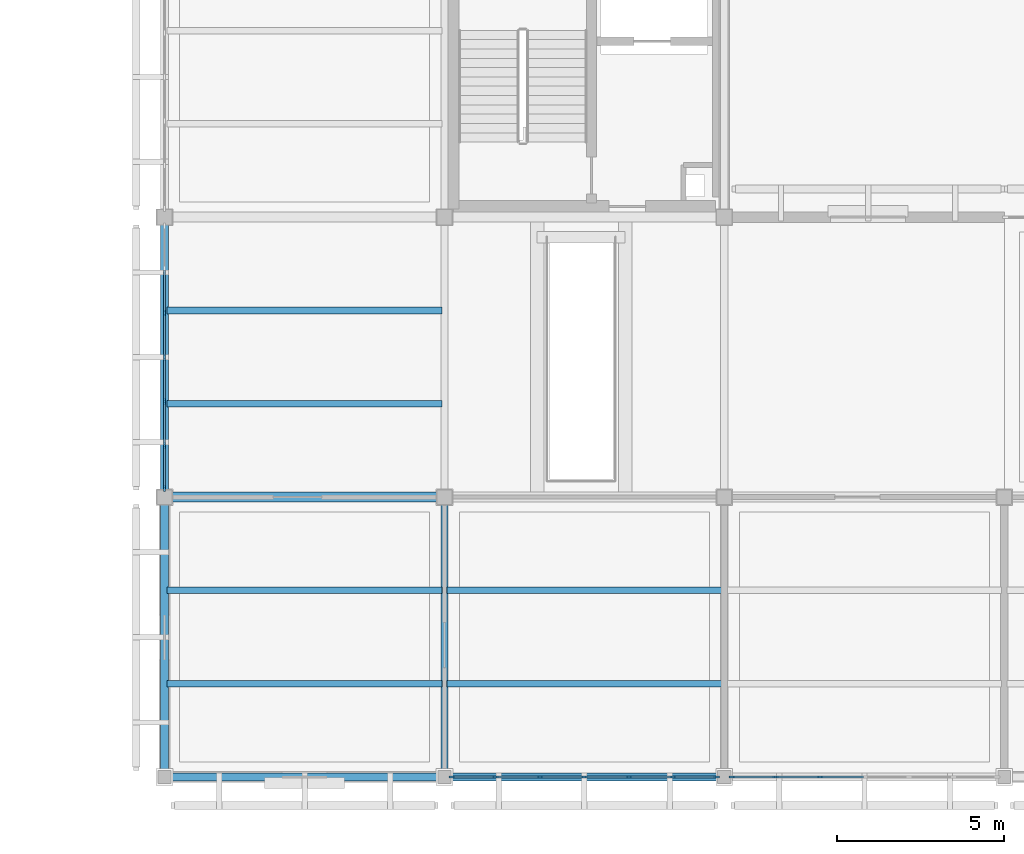
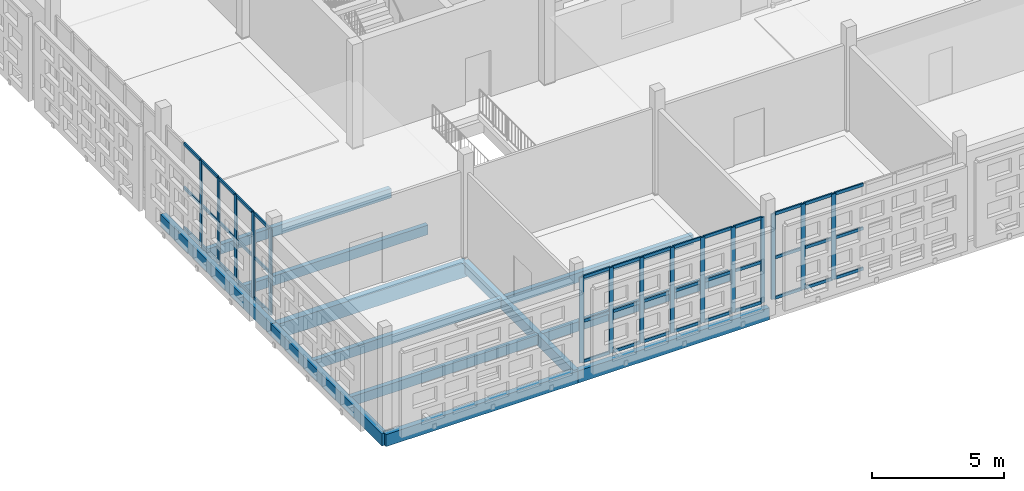
# One storey, part 16 of 203: 57 members, 12 beams, 3 elements without a shape of their own.
"""IFC4 building model written with IfcOpenShell, lengths in metres."""

from ifc_helpers import new_model, si_unit, direction, frame, origin, origin_2d, place, context, subcontext, project, spatial, rectangle, extrude, material, layer, layer_set, material_profile, profile_set, type_object, element, aggregate, save


model = new_model("IFC4")

# Units and contexts
model_context = context("Model", 3, precision=1e-05, world=origin(), true_north=direction((0.0, 1.0)))
body_context = subcontext(model_context, "Body", "Model", "MODEL_VIEW")
ifc_project = project(units=[si_unit("LENGTHUNIT", "METRE"), si_unit("AREAUNIT", "SQUARE_METRE"), si_unit("VOLUMEUNIT", "CUBIC_METRE"), si_unit("PLANEANGLEUNIT", "RADIAN"), si_unit("MASSUNIT", "GRAM", prefix="KILO")], contexts=[model_context])

# Site, building, storey
site_placement = place(None, origin())
site = spatial("IfcSite", under=ifc_project, at=site_placement, CompositionType="ELEMENT")
building_placement = place(site_placement, origin())
building = spatial("IfcBuilding", under=site, at=building_placement, Name="Varnapada Polytechnic", CompositionType="ELEMENT")
storey_placement = place(building_placement, frame((0.0, 0.0, 4.800048828125)))
storey = spatial("IfcBuildingStorey", under=building, at=storey_placement, Name="L01", CompositionType="ELEMENT", Elevation=4.800048828125)

# Beams
ifc_material_1 = material(Name="Glulam GL32h", Category="wood")
ifc_material_profile_1 = material_profile(ifc_material_1, rectangle(XDim=0.199951171875, YDim=0.43994140625, at=origin_2d()), Name="GL 200x440")
ifc_profile_set_1 = profile_set([ifc_material_profile_1], Name="Glulam GL32h")
beam_type_1 = type_object("IfcBeamType", Name="Heavy laboratory glulam joist GJ-03 (GL 200x440)", PredefinedType="JOIST", material=ifc_profile_set_1)
for number, where, z_axis, x_axis, name in (
    (1, (8.47998046875, 2.800048828125, -0.47998046875), (1.0, 0.0, 0.0), (0.0, 1.0, 0.0), "L01 floor joist 2/1.1"),
    (2, (8.47998046875, 5.60009765625, -0.47998046875), (1.0, 0.0, 0.0), (0.0, 1.0, 0.0), "L01 floor joist 2/1.2"),
    (3, (8.47998046875, 11.199951171875, -0.47998046875), (1.0, 0.0, 0.0), (0.0, 1.0, 0.0), "L01 floor joist 2/2.1"),
    (4, (8.47998046875, 14.0, -0.47998046875), (1.0, 0.0, 0.0), (0.0, 1.0, 0.0), "L01 floor joist 2/2.2"),
):
    element("IfcBeam", number, at=place(storey_placement, frame(where, z_axis=z_axis, x_axis=x_axis)), inside=storey, type_object=beam_type_1, Name=name, PredefinedType="JOIST", context=body_context, shape_type="SweptSolid", body=[
        extrude(rectangle(XDim=0.199951171875, YDim=0.43994140625, at=origin_2d()), origin(), (0.0, 0.0, 1.0), 8.239990234375),
    ])
for number, where, z_axis, x_axis, name in (
    (5, (16.8798828125, 2.800048828125, -0.47998046875), (1.0, 0.0, 0.0), (0.0, 1.0, 0.0), "L01 floor joist 3/1.1"),
    (6, (16.8798828125, 5.60009765625, -0.47998046875), (1.0, 0.0, 0.0), (0.0, 1.0, 0.0), "L01 floor joist 3/1.2"),
):
    element("IfcBeam", number, at=place(storey_placement, frame(where, z_axis=z_axis, x_axis=x_axis)), inside=storey, type_object=beam_type_1, Name=name, PredefinedType="JOIST", context=body_context, shape_type="SweptSolid", body=[
        extrude(rectangle(XDim=0.199951171875, YDim=0.43994140625, at=origin_2d()), origin(), (0.0, 0.0, 1.0), 8.240234375),
    ])
ifc_material_profile_2 = material_profile(ifc_material_1, rectangle(XDim=0.219970703125, YDim=0.52001953125, at=origin_2d()), Name="GL 220x520")
ifc_profile_set_2 = profile_set([ifc_material_profile_2], Name="Glulam GL32h")
beam_type_2 = type_object("IfcBeamType", Name="Laboratory transverse glulam beam GB-12 (GL 220x520)", PredefinedType="BEAM", material=ifc_profile_set_2)
beam_1_placement = place(storey_placement, frame((16.800048828125, 0.0, -0.52001953125), z_axis=(0.0, 1.0, 0.0), x_axis=(-1.0, 0.0, 0.0)))
element("IfcBeam", 7, at=beam_1_placement, inside=storey, type_object=beam_type_2, Name="L01 beam Y 1-2 at X3", PredefinedType="BEAM", context=body_context, shape_type="SweptSolid", body=[
    extrude(rectangle(XDim=0.219970703125, YDim=0.52001953125, at=origin_2d()), origin(), (0.0, 0.0, 1.0), 8.39990234375),
])

# Curtain wall, members
ifc_material_2 = material(Name="Double low-E laminated glass", Category="glass")
ifc_layer = layer(ifc_material_2, 0.179931640625)
ifc_layer_set = layer_set([ifc_layer], Name="Double low-E laminated glass")
curtain_wall_type = type_object("IfcCurtainWallType", Name="Curtain Wall CW-03", PredefinedType="NOTDEFINED", material=ifc_layer_set)
curtain_wall_1_placement = place(storey_placement, origin())
curtain_wall_1 = element("IfcCurtainWall", 8, at=curtain_wall_1_placement, inside=storey, type_object=curtain_wall_type, Name="L01 unitised curtain wall CW-03 (27)", PredefinedType="NOTDEFINED")
ifc_material_3 = material(Name="Anodised aluminium", Category="aluminium")
ifc_material_profile_3 = material_profile(ifc_material_3, rectangle(XDim=0.06494140625, YDim=0.179931640625, at=origin_2d()), Name="ALU M65x180")
ifc_profile_set_3 = profile_set([ifc_material_profile_3], Name="Anodised aluminium")
member_type_1 = type_object("IfcMemberType", Name="Mullion M-02", PredefinedType="MULLION", material=ifc_profile_set_3)
member_1_placement = place(storey_placement, frame((8.39990234375, 8.652587890625, 0.0), z_axis=(0.0, 0.0, 1.0), x_axis=(-1.0, 0.0, 0.0)))
member_1 = element("IfcMember", 9, at=member_1_placement, type_object=member_type_1, Name="CW-03 mullion 1", PredefinedType="MULLION", context=body_context, shape_type="SweptSolid", body=[
    extrude(rectangle(XDim=0.06494140625, YDim=0.179931640625, at=origin_2d()), origin(), (0.0, 0.0, 1.0), 3.9599609375),
])
member_2_placement = place(storey_placement, frame((8.39990234375, 9.945068359375, 0.0), z_axis=(0.0, 0.0, 1.0), x_axis=(-1.0, 0.0, 0.0)))
member_2 = element("IfcMember", 10, at=member_2_placement, type_object=member_type_1, Name="CW-03 mullion 2", PredefinedType="MULLION", context=body_context, shape_type="SweptSolid", body=[
    extrude(rectangle(XDim=0.06494140625, YDim=0.179931640625, at=origin_2d()), origin(), (0.0, 0.0, 1.0), 3.9599609375),
])
member_3_placement = place(storey_placement, frame((8.39990234375, 11.27001953125, 0.0), z_axis=(0.0, 0.0, 1.0), x_axis=(-1.0, 0.0, 0.0)))
member_3 = element("IfcMember", 11, at=member_3_placement, type_object=member_type_1, Name="CW-03 mullion 3", PredefinedType="MULLION", context=body_context, shape_type="SweptSolid", body=[
    extrude(rectangle(XDim=0.06494140625, YDim=0.179931640625, at=origin_2d()), origin(), (0.0, 0.0, 1.0), 3.9599609375),
])
member_4_placement = place(storey_placement, frame((8.39990234375, 12.594970703125, 0.0), z_axis=(0.0, 0.0, 1.0), x_axis=(-1.0, 0.0, 0.0)))
member_4 = element("IfcMember", 12, at=member_4_placement, type_object=member_type_1, Name="CW-03 mullion 4", PredefinedType="MULLION", context=body_context, shape_type="SweptSolid", body=[
    extrude(rectangle(XDim=0.06494140625, YDim=0.179931640625, at=origin_2d()), origin(), (0.0, 0.0, 1.0), 3.9599609375),
])
member_5_placement = place(storey_placement, frame((8.39990234375, 13.919921875, 0.0), z_axis=(0.0, 0.0, 1.0), x_axis=(-1.0, 0.0, 0.0)))
member_5 = element("IfcMember", 13, at=member_5_placement, type_object=member_type_1, Name="CW-03 mullion 5", PredefinedType="MULLION", context=body_context, shape_type="SweptSolid", body=[
    extrude(rectangle(XDim=0.06494140625, YDim=0.179931640625, at=origin_2d()), origin(), (0.0, 0.0, 1.0), 3.9599609375),
])

curtain_wall_2_placement = place(storey_placement, origin())
curtain_wall_2 = element("IfcCurtainWall", 14, at=curtain_wall_2_placement, inside=storey, type_object=curtain_wall_type, Name="L01 unitised curtain wall CW-03 (31)", PredefinedType="NOTDEFINED")
member_6_placement = place(storey_placement, frame((24.967529296875, 0.0, 0.0), z_axis=(0.0, 0.0, 1.0), x_axis=(0.0, -1.0, 0.0)))
member_6 = element("IfcMember", 15, at=member_6_placement, type_object=member_type_1, Name="CW-03 mullion 1", PredefinedType="MULLION", context=body_context, shape_type="SweptSolid", body=[
    extrude(rectangle(XDim=0.06494140625, YDim=0.179931640625, at=origin_2d()), origin(), (0.0, 0.0, 1.0), 3.9599609375),
])
member_7_placement = place(storey_placement, frame((23.6650390625, 0.0, 0.0), z_axis=(0.0, 0.0, 1.0), x_axis=(0.0, -1.0, 0.0)))
member_7 = element("IfcMember", 16, at=member_7_placement, type_object=member_type_1, Name="CW-03 mullion 2", PredefinedType="MULLION", context=body_context, shape_type="SweptSolid", body=[
    extrude(rectangle(XDim=0.06494140625, YDim=0.179931640625, at=origin_2d()), origin(), (0.0, 0.0, 1.0), 3.9599609375),
])
member_8_placement = place(storey_placement, frame((22.330078125, 0.0, 0.0), z_axis=(0.0, 0.0, 1.0), x_axis=(0.0, -1.0, 0.0)))
member_8 = element("IfcMember", 17, at=member_8_placement, type_object=member_type_1, Name="CW-03 mullion 3", PredefinedType="MULLION", context=body_context, shape_type="SweptSolid", body=[
    extrude(rectangle(XDim=0.06494140625, YDim=0.179931640625, at=origin_2d()), origin(), (0.0, 0.0, 1.0), 3.9599609375),
])
member_9_placement = place(storey_placement, frame((20.9951171875, 0.0, 0.0), z_axis=(0.0, 0.0, 1.0), x_axis=(0.0, -1.0, 0.0)))
member_9 = element("IfcMember", 18, at=member_9_placement, type_object=member_type_1, Name="CW-03 mullion 4", PredefinedType="MULLION", context=body_context, shape_type="SweptSolid", body=[
    extrude(rectangle(XDim=0.06494140625, YDim=0.179931640625, at=origin_2d()), origin(), (0.0, 0.0, 1.0), 3.9599609375),
])
member_10_placement = place(storey_placement, frame((19.659912109375, 0.0, 0.0), z_axis=(0.0, 0.0, 1.0), x_axis=(0.0, -1.0, 0.0)))
member_10 = element("IfcMember", 19, at=member_10_placement, type_object=member_type_1, Name="CW-03 mullion 5", PredefinedType="MULLION", context=body_context, shape_type="SweptSolid", body=[
    extrude(rectangle(XDim=0.06494140625, YDim=0.179931640625, at=origin_2d()), origin(), (0.0, 0.0, 1.0), 3.9599609375),
])
member_11_placement = place(storey_placement, frame((18.324951171875, 0.0, 0.0), z_axis=(0.0, 0.0, 1.0), x_axis=(0.0, -1.0, 0.0)))
member_11 = element("IfcMember", 20, at=member_11_placement, type_object=member_type_1, Name="CW-03 mullion 6", PredefinedType="MULLION", context=body_context, shape_type="SweptSolid", body=[
    extrude(rectangle(XDim=0.06494140625, YDim=0.179931640625, at=origin_2d()), origin(), (0.0, 0.0, 1.0), 3.9599609375),
])
member_12_placement = place(storey_placement, frame((17.0224609375, 0.0, 0.0), z_axis=(0.0, 0.0, 1.0), x_axis=(0.0, -1.0, 0.0)))
member_12 = element("IfcMember", 21, at=member_12_placement, type_object=member_type_1, Name="CW-03 mullion 7", PredefinedType="MULLION", context=body_context, shape_type="SweptSolid", body=[
    extrude(rectangle(XDim=0.06494140625, YDim=0.179931640625, at=origin_2d()), origin(), (0.0, 0.0, 1.0), 3.9599609375),
])

curtain_wall_3_placement = place(storey_placement, origin())
curtain_wall_3 = element("IfcCurtainWall", 22, at=curtain_wall_3_placement, inside=storey, type_object=curtain_wall_type, Name="L01 unitised curtain wall CW-03 (33)", PredefinedType="NOTDEFINED")
member_13_placement = place(storey_placement, frame((28.070068359375, 0.0, 0.0), z_axis=(0.0, 0.0, 1.0), x_axis=(0.0, -1.0, 0.0)))
member_13 = element("IfcMember", 23, at=member_13_placement, type_object=member_type_1, Name="CW-03 mullion 5", PredefinedType="MULLION", context=body_context, shape_type="SweptSolid", body=[
    extrude(rectangle(XDim=0.06494140625, YDim=0.179931640625, at=origin_2d()), origin(), (0.0, 0.0, 1.0), 3.9599609375),
])
member_14_placement = place(storey_placement, frame((26.735107421875, 0.0, 0.0), z_axis=(0.0, 0.0, 1.0), x_axis=(0.0, -1.0, 0.0)))
member_14 = element("IfcMember", 24, at=member_14_placement, type_object=member_type_1, Name="CW-03 mullion 6", PredefinedType="MULLION", context=body_context, shape_type="SweptSolid", body=[
    extrude(rectangle(XDim=0.06494140625, YDim=0.179931640625, at=origin_2d()), origin(), (0.0, 0.0, 1.0), 3.9599609375),
])
member_15_placement = place(storey_placement, frame((25.4326171875, 0.0, 0.0), z_axis=(0.0, 0.0, 1.0), x_axis=(0.0, -1.0, 0.0)))
member_15 = element("IfcMember", 25, at=member_15_placement, type_object=member_type_1, Name="CW-03 mullion 7", PredefinedType="MULLION", context=body_context, shape_type="SweptSolid", body=[
    extrude(rectangle(XDim=0.06494140625, YDim=0.179931640625, at=origin_2d()), origin(), (0.0, 0.0, 1.0), 3.9599609375),
])

# Beams
ifc_material_profile_4 = material_profile(ifc_material_1, rectangle(XDim=0.239990234375, YDim=0.56005859375, at=origin_2d()), Name="GL 240x560")
ifc_profile_set_4 = profile_set([ifc_material_profile_4], Name="Glulam GL32h")
beam_type_3 = type_object("IfcBeamType", Name="Perimeter glulam spandrel beam SP-02 (GL 240x560)", PredefinedType="SPANDREL", material=ifc_profile_set_4)
beam_2_placement = place(storey_placement, frame((8.39990234375, 0.0, -0.5400390625), z_axis=(1.0, 0.0, 0.0), x_axis=(0.0, 1.0, 0.0)))
element("IfcBeam", 26, at=beam_2_placement, inside=storey, type_object=beam_type_3, Name="L01 beam X 2-3 at Y1", PredefinedType="SPANDREL", context=body_context, shape_type="SweptSolid", body=[
    extrude(rectangle(XDim=0.239990234375, YDim=0.56005859375, at=origin_2d()), origin(), (0.0, 0.0, 1.0), 8.400146484375),
])
for number, where, z_axis, x_axis, name in (
    (27, (16.800048828125, 0.0, -0.5400390625), (1.0, 0.0, 0.0), (0.0, 1.0, 0.0), "L01 beam X 3-4 at Y1"),
    (28, (8.39990234375, 0.0, -0.5400390625), (0.0, 1.0, 0.0), (-1.0, 0.0, 0.0), "L01 beam Y 1-2 at X2"),
):
    element("IfcBeam", number, at=place(storey_placement, frame(where, z_axis=z_axis, x_axis=x_axis)), inside=storey, type_object=beam_type_3, Name=name, PredefinedType="SPANDREL", context=body_context, shape_type="SweptSolid", body=[
        extrude(rectangle(XDim=0.239990234375, YDim=0.56005859375, at=origin_2d()), origin(), (0.0, 0.0, 1.0), 8.39990234375),
    ])
beam_3_placement = place(storey_placement, frame((8.39990234375, 8.39990234375, -0.5400390625), z_axis=(0.0, 1.0, 0.0), x_axis=(-1.0, 0.0, 0.0)))
element("IfcBeam", 29, at=beam_3_placement, inside=storey, type_object=beam_type_3, Name="L01 beam Y 2-3 at X2", PredefinedType="SPANDREL", context=body_context, shape_type="SweptSolid", body=[
    extrude(rectangle(XDim=0.239990234375, YDim=0.56005859375, at=origin_2d()), origin(), (0.0, 0.0, 1.0), 8.400146484375),
])

# Member
ifc_material_profile_5 = material_profile(ifc_material_3, rectangle(XDim=0.06494140625, YDim=0.139892578125, at=origin_2d()), Name="ALU T65x140")
ifc_profile_set_5 = profile_set([ifc_material_profile_5], Name="Anodised aluminium")
member_type_2 = type_object("IfcMemberType", Name="Transom T-02", PredefinedType="USERDEFINED", material=ifc_profile_set_5)
member_16_placement = place(storey_placement, frame((8.39990234375, 8.68505859375, 0.032470703125), z_axis=(0.0, 1.0, 0.0), x_axis=(-1.0, 0.0, 0.0)))
member_16 = element("IfcMember", 30, at=member_16_placement, type_object=member_type_2, Name="CW-03 transom 1.1", ObjectType="TRANSOM", PredefinedType="USERDEFINED", context=body_context, shape_type="SweptSolid", body=[
    extrude(rectangle(XDim=0.06494140625, YDim=0.139892578125, at=origin_2d()), origin(), (0.0, 0.0, 1.0), 1.2275390625),
])

member_17_placement = place(storey_placement, frame((8.39990234375, 8.68505859375, 1.900634765625), z_axis=(0.0, 1.0, 0.0), x_axis=(-1.0, 0.0, 0.0)))
member_17 = element("IfcMember", 31, at=member_17_placement, type_object=member_type_2, Name="CW-03 transom 1.2", ObjectType="TRANSOM", PredefinedType="USERDEFINED", context=body_context, shape_type="SweptSolid", body=[
    extrude(rectangle(XDim=0.06494140625, YDim=0.139892578125, at=origin_2d()), origin(), (0.0, 0.0, 1.0), 1.2275390625),
])

member_18_placement = place(storey_placement, frame((8.39990234375, 8.68505859375, 3.927490234375), z_axis=(0.0, 1.0, 0.0), x_axis=(-1.0, 0.0, 0.0)))
member_18 = element("IfcMember", 32, at=member_18_placement, type_object=member_type_2, Name="CW-03 transom 1.3", ObjectType="TRANSOM", PredefinedType="USERDEFINED", context=body_context, shape_type="SweptSolid", body=[
    extrude(rectangle(XDim=0.06494140625, YDim=0.139892578125, at=origin_2d()), origin(), (0.0, 0.0, 1.0), 1.2275390625),
])

member_19_placement = place(storey_placement, frame((8.39990234375, 9.9775390625, 0.032470703125), z_axis=(0.0, 1.0, 0.0), x_axis=(-1.0, 0.0, 0.0)))
member_19 = element("IfcMember", 33, at=member_19_placement, type_object=member_type_2, Name="CW-03 transom 2.1", ObjectType="TRANSOM", PredefinedType="USERDEFINED", context=body_context, shape_type="SweptSolid", body=[
    extrude(rectangle(XDim=0.06494140625, YDim=0.139892578125, at=origin_2d()), origin(), (0.0, 0.0, 1.0), 1.260009765625),
])

member_20_placement = place(storey_placement, frame((8.39990234375, 9.9775390625, 1.900634765625), z_axis=(0.0, 1.0, 0.0), x_axis=(-1.0, 0.0, 0.0)))
member_20 = element("IfcMember", 34, at=member_20_placement, type_object=member_type_2, Name="CW-03 transom 2.2", ObjectType="TRANSOM", PredefinedType="USERDEFINED", context=body_context, shape_type="SweptSolid", body=[
    extrude(rectangle(XDim=0.06494140625, YDim=0.139892578125, at=origin_2d()), origin(), (0.0, 0.0, 1.0), 1.260009765625),
])

member_21_placement = place(storey_placement, frame((8.39990234375, 9.9775390625, 3.927490234375), z_axis=(0.0, 1.0, 0.0), x_axis=(-1.0, 0.0, 0.0)))
member_21 = element("IfcMember", 35, at=member_21_placement, type_object=member_type_2, Name="CW-03 transom 2.3", ObjectType="TRANSOM", PredefinedType="USERDEFINED", context=body_context, shape_type="SweptSolid", body=[
    extrude(rectangle(XDim=0.06494140625, YDim=0.139892578125, at=origin_2d()), origin(), (0.0, 0.0, 1.0), 1.260009765625),
])

member_22_placement = place(storey_placement, frame((8.39990234375, 11.302490234375, 0.032470703125), z_axis=(0.0, 1.0, 0.0), x_axis=(-1.0, 0.0, 0.0)))
member_22 = element("IfcMember", 36, at=member_22_placement, type_object=member_type_2, Name="CW-03 transom 3.1", ObjectType="TRANSOM", PredefinedType="USERDEFINED", context=body_context, shape_type="SweptSolid", body=[
    extrude(rectangle(XDim=0.06494140625, YDim=0.139892578125, at=origin_2d()), origin(), (0.0, 0.0, 1.0), 1.260009765625),
])

member_23_placement = place(storey_placement, frame((8.39990234375, 11.302490234375, 1.900634765625), z_axis=(0.0, 1.0, 0.0), x_axis=(-1.0, 0.0, 0.0)))
member_23 = element("IfcMember", 37, at=member_23_placement, type_object=member_type_2, Name="CW-03 transom 3.2", ObjectType="TRANSOM", PredefinedType="USERDEFINED", context=body_context, shape_type="SweptSolid", body=[
    extrude(rectangle(XDim=0.06494140625, YDim=0.139892578125, at=origin_2d()), origin(), (0.0, 0.0, 1.0), 1.260009765625),
])

member_24_placement = place(storey_placement, frame((8.39990234375, 11.302490234375, 3.927490234375), z_axis=(0.0, 1.0, 0.0), x_axis=(-1.0, 0.0, 0.0)))
member_24 = element("IfcMember", 38, at=member_24_placement, type_object=member_type_2, Name="CW-03 transom 3.3", ObjectType="TRANSOM", PredefinedType="USERDEFINED", context=body_context, shape_type="SweptSolid", body=[
    extrude(rectangle(XDim=0.06494140625, YDim=0.139892578125, at=origin_2d()), origin(), (0.0, 0.0, 1.0), 1.260009765625),
])

member_25_placement = place(storey_placement, frame((8.39990234375, 12.62744140625, 0.032470703125), z_axis=(0.0, 1.0, 0.0), x_axis=(-1.0, 0.0, 0.0)))
member_25 = element("IfcMember", 39, at=member_25_placement, type_object=member_type_2, Name="CW-03 transom 4.1", ObjectType="TRANSOM", PredefinedType="USERDEFINED", context=body_context, shape_type="SweptSolid", body=[
    extrude(rectangle(XDim=0.06494140625, YDim=0.139892578125, at=origin_2d()), origin(), (0.0, 0.0, 1.0), 1.260009765625),
])

member_26_placement = place(storey_placement, frame((8.39990234375, 12.62744140625, 1.900634765625), z_axis=(0.0, 1.0, 0.0), x_axis=(-1.0, 0.0, 0.0)))
member_26 = element("IfcMember", 40, at=member_26_placement, type_object=member_type_2, Name="CW-03 transom 4.2", ObjectType="TRANSOM", PredefinedType="USERDEFINED", context=body_context, shape_type="SweptSolid", body=[
    extrude(rectangle(XDim=0.06494140625, YDim=0.139892578125, at=origin_2d()), origin(), (0.0, 0.0, 1.0), 1.260009765625),
])

member_27_placement = place(storey_placement, frame((8.39990234375, 12.62744140625, 3.927490234375), z_axis=(0.0, 1.0, 0.0), x_axis=(-1.0, 0.0, 0.0)))
member_27 = element("IfcMember", 41, at=member_27_placement, type_object=member_type_2, Name="CW-03 transom 4.3", ObjectType="TRANSOM", PredefinedType="USERDEFINED", context=body_context, shape_type="SweptSolid", body=[
    extrude(rectangle(XDim=0.06494140625, YDim=0.139892578125, at=origin_2d()), origin(), (0.0, 0.0, 1.0), 1.260009765625),
])

member_28_placement = place(storey_placement, frame((8.39990234375, 13.952392578125, 0.032470703125), z_axis=(0.0, 1.0, 0.0), x_axis=(-1.0, 0.0, 0.0)))
member_28 = element("IfcMember", 42, at=member_28_placement, type_object=member_type_2, Name="CW-03 transom 5.1", ObjectType="TRANSOM", PredefinedType="USERDEFINED", context=body_context, shape_type="SweptSolid", body=[
    extrude(rectangle(XDim=0.06494140625, YDim=0.139892578125, at=origin_2d()), origin(), (0.0, 0.0, 1.0), 1.260009765625),
])

member_29_placement = place(storey_placement, frame((8.39990234375, 13.952392578125, 1.900634765625), z_axis=(0.0, 1.0, 0.0), x_axis=(-1.0, 0.0, 0.0)))
member_29 = element("IfcMember", 43, at=member_29_placement, type_object=member_type_2, Name="CW-03 transom 5.2", ObjectType="TRANSOM", PredefinedType="USERDEFINED", context=body_context, shape_type="SweptSolid", body=[
    extrude(rectangle(XDim=0.06494140625, YDim=0.139892578125, at=origin_2d()), origin(), (0.0, 0.0, 1.0), 1.260009765625),
])

member_30_placement = place(storey_placement, frame((8.39990234375, 13.952392578125, 3.927490234375), z_axis=(0.0, 1.0, 0.0), x_axis=(-1.0, 0.0, 0.0)))
member_30 = element("IfcMember", 44, at=member_30_placement, type_object=member_type_2, Name="CW-03 transom 5.3", ObjectType="TRANSOM", PredefinedType="USERDEFINED", context=body_context, shape_type="SweptSolid", body=[
    extrude(rectangle(XDim=0.06494140625, YDim=0.139892578125, at=origin_2d()), origin(), (0.0, 0.0, 1.0), 1.260009765625),
])

aggregate(curtain_wall_1, [member_1, member_2, member_3, member_4, member_5, member_16, member_17, member_18, member_19, member_20, member_21, member_22, member_23, member_24, member_25, member_26, member_27, member_28, member_29, member_30])

member_31_placement = place(storey_placement, frame((24.93505859375, 0.0, 0.032470703125), z_axis=(-1.0, 0.0, 0.0), x_axis=(0.0, -1.0, 0.0)))
member_31 = element("IfcMember", 45, at=member_31_placement, type_object=member_type_2, Name="CW-03 transom 1.1", ObjectType="TRANSOM", PredefinedType="USERDEFINED", context=body_context, shape_type="SweptSolid", body=[
    extrude(rectangle(XDim=0.06494140625, YDim=0.139892578125, at=origin_2d()), origin(), (0.0, 0.0, 1.0), 1.237548828125),
])

member_32_placement = place(storey_placement, frame((24.93505859375, 0.0, 1.900634765625), z_axis=(-1.0, 0.0, 0.0), x_axis=(0.0, -1.0, 0.0)))
member_32 = element("IfcMember", 46, at=member_32_placement, type_object=member_type_2, Name="CW-03 transom 1.2", ObjectType="TRANSOM", PredefinedType="USERDEFINED", context=body_context, shape_type="SweptSolid", body=[
    extrude(rectangle(XDim=0.06494140625, YDim=0.139892578125, at=origin_2d()), origin(), (0.0, 0.0, 1.0), 1.237548828125),
])

member_33_placement = place(storey_placement, frame((24.93505859375, 0.0, 3.927490234375), z_axis=(-1.0, 0.0, 0.0), x_axis=(0.0, -1.0, 0.0)))
member_33 = element("IfcMember", 47, at=member_33_placement, type_object=member_type_2, Name="CW-03 transom 1.3", ObjectType="TRANSOM", PredefinedType="USERDEFINED", context=body_context, shape_type="SweptSolid", body=[
    extrude(rectangle(XDim=0.06494140625, YDim=0.139892578125, at=origin_2d()), origin(), (0.0, 0.0, 1.0), 1.237548828125),
])

member_34_placement = place(storey_placement, frame((23.632568359375, 0.0, 0.032470703125), z_axis=(-1.0, 0.0, 0.0), x_axis=(0.0, -1.0, 0.0)))
member_34 = element("IfcMember", 48, at=member_34_placement, type_object=member_type_2, Name="CW-03 transom 2.1", ObjectType="TRANSOM", PredefinedType="USERDEFINED", context=body_context, shape_type="SweptSolid", body=[
    extrude(rectangle(XDim=0.06494140625, YDim=0.139892578125, at=origin_2d()), origin(), (0.0, 0.0, 1.0), 1.27001953125),
])

member_35_placement = place(storey_placement, frame((23.632568359375, 0.0, 1.900634765625), z_axis=(-1.0, 0.0, 0.0), x_axis=(0.0, -1.0, 0.0)))
member_35 = element("IfcMember", 49, at=member_35_placement, type_object=member_type_2, Name="CW-03 transom 2.2", ObjectType="TRANSOM", PredefinedType="USERDEFINED", context=body_context, shape_type="SweptSolid", body=[
    extrude(rectangle(XDim=0.06494140625, YDim=0.139892578125, at=origin_2d()), origin(), (0.0, 0.0, 1.0), 1.27001953125),
])

member_36_placement = place(storey_placement, frame((23.632568359375, 0.0, 3.927490234375), z_axis=(-1.0, 0.0, 0.0), x_axis=(0.0, -1.0, 0.0)))
member_36 = element("IfcMember", 50, at=member_36_placement, type_object=member_type_2, Name="CW-03 transom 2.3", ObjectType="TRANSOM", PredefinedType="USERDEFINED", context=body_context, shape_type="SweptSolid", body=[
    extrude(rectangle(XDim=0.06494140625, YDim=0.139892578125, at=origin_2d()), origin(), (0.0, 0.0, 1.0), 1.27001953125),
])

member_37_placement = place(storey_placement, frame((22.297607421875, 0.0, 0.032470703125), z_axis=(-1.0, 0.0, 0.0), x_axis=(0.0, -1.0, 0.0)))
member_37 = element("IfcMember", 51, at=member_37_placement, type_object=member_type_2, Name="CW-03 transom 3.1", ObjectType="TRANSOM", PredefinedType="USERDEFINED", context=body_context, shape_type="SweptSolid", body=[
    extrude(rectangle(XDim=0.06494140625, YDim=0.139892578125, at=origin_2d()), origin(), (0.0, 0.0, 1.0), 1.27001953125),
])

member_38_placement = place(storey_placement, frame((22.297607421875, 0.0, 1.900634765625), z_axis=(-1.0, 0.0, 0.0), x_axis=(0.0, -1.0, 0.0)))
member_38 = element("IfcMember", 52, at=member_38_placement, type_object=member_type_2, Name="CW-03 transom 3.2", ObjectType="TRANSOM", PredefinedType="USERDEFINED", context=body_context, shape_type="SweptSolid", body=[
    extrude(rectangle(XDim=0.06494140625, YDim=0.139892578125, at=origin_2d()), origin(), (0.0, 0.0, 1.0), 1.27001953125),
])

member_39_placement = place(storey_placement, frame((22.297607421875, 0.0, 3.927490234375), z_axis=(-1.0, 0.0, 0.0), x_axis=(0.0, -1.0, 0.0)))
member_39 = element("IfcMember", 53, at=member_39_placement, type_object=member_type_2, Name="CW-03 transom 3.3", ObjectType="TRANSOM", PredefinedType="USERDEFINED", context=body_context, shape_type="SweptSolid", body=[
    extrude(rectangle(XDim=0.06494140625, YDim=0.139892578125, at=origin_2d()), origin(), (0.0, 0.0, 1.0), 1.27001953125),
])

member_40_placement = place(storey_placement, frame((20.96240234375, 0.0, 0.032470703125), z_axis=(-1.0, 0.0, 0.0), x_axis=(0.0, -1.0, 0.0)))
member_40 = element("IfcMember", 54, at=member_40_placement, type_object=member_type_2, Name="CW-03 transom 4.1", ObjectType="TRANSOM", PredefinedType="USERDEFINED", context=body_context, shape_type="SweptSolid", body=[
    extrude(rectangle(XDim=0.06494140625, YDim=0.139892578125, at=origin_2d()), origin(), (0.0, 0.0, 1.0), 1.27001953125),
])

member_41_placement = place(storey_placement, frame((20.96240234375, 0.0, 1.900634765625), z_axis=(-1.0, 0.0, 0.0), x_axis=(0.0, -1.0, 0.0)))
member_41 = element("IfcMember", 55, at=member_41_placement, type_object=member_type_2, Name="CW-03 transom 4.2", ObjectType="TRANSOM", PredefinedType="USERDEFINED", context=body_context, shape_type="SweptSolid", body=[
    extrude(rectangle(XDim=0.06494140625, YDim=0.139892578125, at=origin_2d()), origin(), (0.0, 0.0, 1.0), 1.27001953125),
])

member_42_placement = place(storey_placement, frame((20.96240234375, 0.0, 3.927490234375), z_axis=(-1.0, 0.0, 0.0), x_axis=(0.0, -1.0, 0.0)))
member_42 = element("IfcMember", 56, at=member_42_placement, type_object=member_type_2, Name="CW-03 transom 4.3", ObjectType="TRANSOM", PredefinedType="USERDEFINED", context=body_context, shape_type="SweptSolid", body=[
    extrude(rectangle(XDim=0.06494140625, YDim=0.139892578125, at=origin_2d()), origin(), (0.0, 0.0, 1.0), 1.27001953125),
])

member_43_placement = place(storey_placement, frame((19.62744140625, 0.0, 0.032470703125), z_axis=(-1.0, 0.0, 0.0), x_axis=(0.0, -1.0, 0.0)))
member_43 = element("IfcMember", 57, at=member_43_placement, type_object=member_type_2, Name="CW-03 transom 5.1", ObjectType="TRANSOM", PredefinedType="USERDEFINED", context=body_context, shape_type="SweptSolid", body=[
    extrude(rectangle(XDim=0.06494140625, YDim=0.139892578125, at=origin_2d()), origin(), (0.0, 0.0, 1.0), 1.27001953125),
])

member_44_placement = place(storey_placement, frame((19.62744140625, 0.0, 1.900634765625), z_axis=(-1.0, 0.0, 0.0), x_axis=(0.0, -1.0, 0.0)))
member_44 = element("IfcMember", 58, at=member_44_placement, type_object=member_type_2, Name="CW-03 transom 5.2", ObjectType="TRANSOM", PredefinedType="USERDEFINED", context=body_context, shape_type="SweptSolid", body=[
    extrude(rectangle(XDim=0.06494140625, YDim=0.139892578125, at=origin_2d()), origin(), (0.0, 0.0, 1.0), 1.27001953125),
])

member_45_placement = place(storey_placement, frame((19.62744140625, 0.0, 3.927490234375), z_axis=(-1.0, 0.0, 0.0), x_axis=(0.0, -1.0, 0.0)))
member_45 = element("IfcMember", 59, at=member_45_placement, type_object=member_type_2, Name="CW-03 transom 5.3", ObjectType="TRANSOM", PredefinedType="USERDEFINED", context=body_context, shape_type="SweptSolid", body=[
    extrude(rectangle(XDim=0.06494140625, YDim=0.139892578125, at=origin_2d()), origin(), (0.0, 0.0, 1.0), 1.27001953125),
])

member_46_placement = place(storey_placement, frame((18.29248046875, 0.0, 0.032470703125), z_axis=(-1.0, 0.0, 0.0), x_axis=(0.0, -1.0, 0.0)))
member_46 = element("IfcMember", 60, at=member_46_placement, type_object=member_type_2, Name="CW-03 transom 6.1", ObjectType="TRANSOM", PredefinedType="USERDEFINED", context=body_context, shape_type="SweptSolid", body=[
    extrude(rectangle(XDim=0.06494140625, YDim=0.139892578125, at=origin_2d()), origin(), (0.0, 0.0, 1.0), 1.237548828125),
])

member_47_placement = place(storey_placement, frame((18.29248046875, 0.0, 1.900634765625), z_axis=(-1.0, 0.0, 0.0), x_axis=(0.0, -1.0, 0.0)))
member_47 = element("IfcMember", 61, at=member_47_placement, type_object=member_type_2, Name="CW-03 transom 6.2", ObjectType="TRANSOM", PredefinedType="USERDEFINED", context=body_context, shape_type="SweptSolid", body=[
    extrude(rectangle(XDim=0.06494140625, YDim=0.139892578125, at=origin_2d()), origin(), (0.0, 0.0, 1.0), 1.237548828125),
])

member_48_placement = place(storey_placement, frame((18.29248046875, 0.0, 3.927490234375), z_axis=(-1.0, 0.0, 0.0), x_axis=(0.0, -1.0, 0.0)))
member_48 = element("IfcMember", 62, at=member_48_placement, type_object=member_type_2, Name="CW-03 transom 6.3", ObjectType="TRANSOM", PredefinedType="USERDEFINED", context=body_context, shape_type="SweptSolid", body=[
    extrude(rectangle(XDim=0.06494140625, YDim=0.139892578125, at=origin_2d()), origin(), (0.0, 0.0, 1.0), 1.237548828125),
])

aggregate(curtain_wall_2, [member_6, member_7, member_8, member_9, member_10, member_11, member_12, member_31, member_32, member_33, member_34, member_35, member_36, member_37, member_38, member_39, member_40, member_41, member_42, member_43, member_44, member_45, member_46, member_47, member_48])

member_49_placement = place(storey_placement, frame((29.37255859375, 0.0, 0.032470703125), z_axis=(-1.0, 0.0, 0.0), x_axis=(0.0, -1.0, 0.0)))
member_49 = element("IfcMember", 63, at=member_49_placement, type_object=member_type_2, Name="CW-03 transom 4.1", ObjectType="TRANSOM", PredefinedType="USERDEFINED", context=body_context, shape_type="SweptSolid", body=[
    extrude(rectangle(XDim=0.06494140625, YDim=0.139892578125, at=origin_2d()), origin(), (0.0, 0.0, 1.0), 1.27001953125),
])

member_50_placement = place(storey_placement, frame((29.37255859375, 0.0, 1.900634765625), z_axis=(-1.0, 0.0, 0.0), x_axis=(0.0, -1.0, 0.0)))
member_50 = element("IfcMember", 64, at=member_50_placement, type_object=member_type_2, Name="CW-03 transom 4.2", ObjectType="TRANSOM", PredefinedType="USERDEFINED", context=body_context, shape_type="SweptSolid", body=[
    extrude(rectangle(XDim=0.06494140625, YDim=0.139892578125, at=origin_2d()), origin(), (0.0, 0.0, 1.0), 1.27001953125),
])

member_51_placement = place(storey_placement, frame((29.37255859375, 0.0, 3.927490234375), z_axis=(-1.0, 0.0, 0.0), x_axis=(0.0, -1.0, 0.0)))
member_51 = element("IfcMember", 65, at=member_51_placement, type_object=member_type_2, Name="CW-03 transom 4.3", ObjectType="TRANSOM", PredefinedType="USERDEFINED", context=body_context, shape_type="SweptSolid", body=[
    extrude(rectangle(XDim=0.06494140625, YDim=0.139892578125, at=origin_2d()), origin(), (0.0, 0.0, 1.0), 1.27001953125),
])

member_52_placement = place(storey_placement, frame((28.03759765625, 0.0, 0.032470703125), z_axis=(-1.0, 0.0, 0.0), x_axis=(0.0, -1.0, 0.0)))
member_52 = element("IfcMember", 66, at=member_52_placement, type_object=member_type_2, Name="CW-03 transom 5.1", ObjectType="TRANSOM", PredefinedType="USERDEFINED", context=body_context, shape_type="SweptSolid", body=[
    extrude(rectangle(XDim=0.06494140625, YDim=0.139892578125, at=origin_2d()), origin(), (0.0, 0.0, 1.0), 1.27001953125),
])

member_53_placement = place(storey_placement, frame((28.03759765625, 0.0, 1.900634765625), z_axis=(-1.0, 0.0, 0.0), x_axis=(0.0, -1.0, 0.0)))
member_53 = element("IfcMember", 67, at=member_53_placement, type_object=member_type_2, Name="CW-03 transom 5.2", ObjectType="TRANSOM", PredefinedType="USERDEFINED", context=body_context, shape_type="SweptSolid", body=[
    extrude(rectangle(XDim=0.06494140625, YDim=0.139892578125, at=origin_2d()), origin(), (0.0, 0.0, 1.0), 1.27001953125),
])

member_54_placement = place(storey_placement, frame((28.03759765625, 0.0, 3.927490234375), z_axis=(-1.0, 0.0, 0.0), x_axis=(0.0, -1.0, 0.0)))
member_54 = element("IfcMember", 68, at=member_54_placement, type_object=member_type_2, Name="CW-03 transom 5.3", ObjectType="TRANSOM", PredefinedType="USERDEFINED", context=body_context, shape_type="SweptSolid", body=[
    extrude(rectangle(XDim=0.06494140625, YDim=0.139892578125, at=origin_2d()), origin(), (0.0, 0.0, 1.0), 1.27001953125),
])

member_55_placement = place(storey_placement, frame((26.702392578125, 0.0, 0.032470703125), z_axis=(-1.0, 0.0, 0.0), x_axis=(0.0, -1.0, 0.0)))
member_55 = element("IfcMember", 69, at=member_55_placement, type_object=member_type_2, Name="CW-03 transom 6.1", ObjectType="TRANSOM", PredefinedType="USERDEFINED", context=body_context, shape_type="SweptSolid", body=[
    extrude(rectangle(XDim=0.06494140625, YDim=0.139892578125, at=origin_2d()), origin(), (0.0, 0.0, 1.0), 1.2373046875),
])

member_56_placement = place(storey_placement, frame((26.702392578125, 0.0, 1.900634765625), z_axis=(-1.0, 0.0, 0.0), x_axis=(0.0, -1.0, 0.0)))
member_56 = element("IfcMember", 70, at=member_56_placement, type_object=member_type_2, Name="CW-03 transom 6.2", ObjectType="TRANSOM", PredefinedType="USERDEFINED", context=body_context, shape_type="SweptSolid", body=[
    extrude(rectangle(XDim=0.06494140625, YDim=0.139892578125, at=origin_2d()), origin(), (0.0, 0.0, 1.0), 1.2373046875),
])

member_57_placement = place(storey_placement, frame((26.702392578125, 0.0, 3.927490234375), z_axis=(-1.0, 0.0, 0.0), x_axis=(0.0, -1.0, 0.0)))
member_57 = element("IfcMember", 71, at=member_57_placement, type_object=member_type_2, Name="CW-03 transom 6.3", ObjectType="TRANSOM", PredefinedType="USERDEFINED", context=body_context, shape_type="SweptSolid", body=[
    extrude(rectangle(XDim=0.06494140625, YDim=0.139892578125, at=origin_2d()), origin(), (0.0, 0.0, 1.0), 1.2373046875),
])

aggregate(curtain_wall_3, [member_13, member_14, member_15, member_49, member_50, member_51, member_52, member_53, member_54, member_55, member_56, member_57])

# Beam
ifc_material_profile_6 = material_profile(ifc_material_1, rectangle(XDim=0.300048828125, YDim=0.679931640625, at=origin_2d()), Name="GL 300x680")
ifc_profile_set_6 = profile_set([ifc_material_profile_6], Name="Glulam GL32h")
beam_type_4 = type_object("IfcBeamType", Name="Wet laboratory glulam girder GG-04 (GL 300x680)", PredefinedType="BEAM", material=ifc_profile_set_6)
beam_4_placement = place(storey_placement, frame((8.39990234375, 8.39990234375, -0.60009765625), z_axis=(1.0, 0.0, 0.0), x_axis=(0.0, 1.0, 0.0)))
element("IfcBeam", 72, at=beam_4_placement, inside=storey, type_object=beam_type_4, Name="L01 beam X 2-3 at Y2", PredefinedType="BEAM", context=body_context, shape_type="SweptSolid", body=[
    extrude(rectangle(XDim=0.300048828125, YDim=0.679931640625, at=origin_2d()), origin(), (0.0, 0.0, 1.0), 8.400146484375),
])

save(model, "model.ifc")
